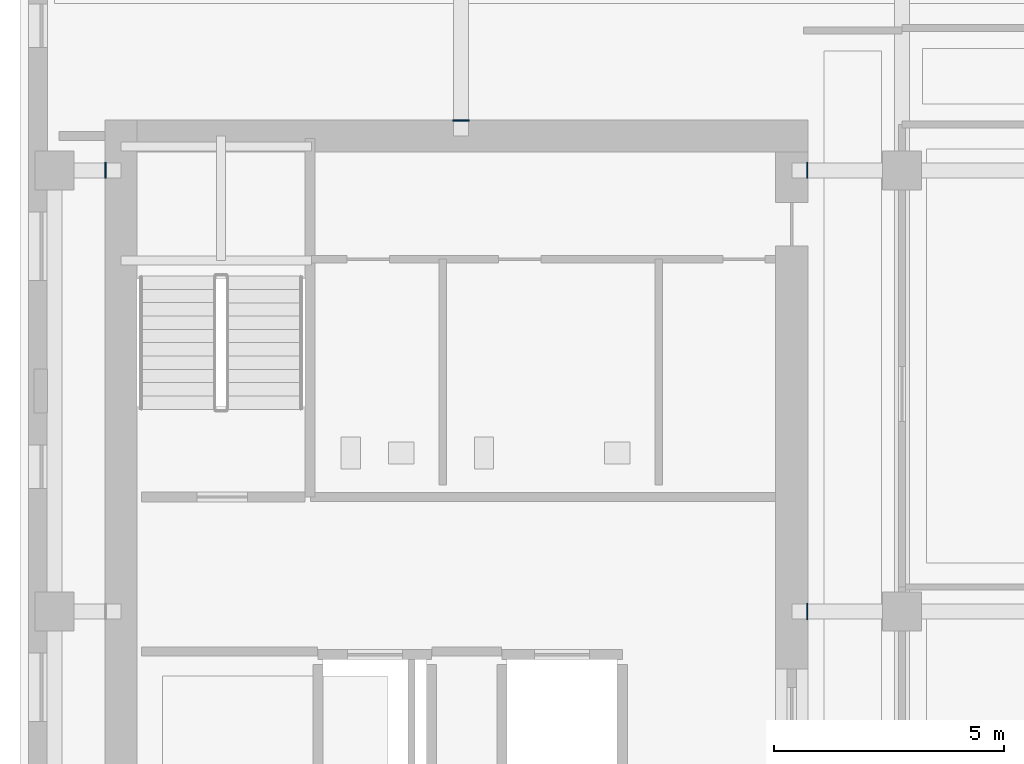
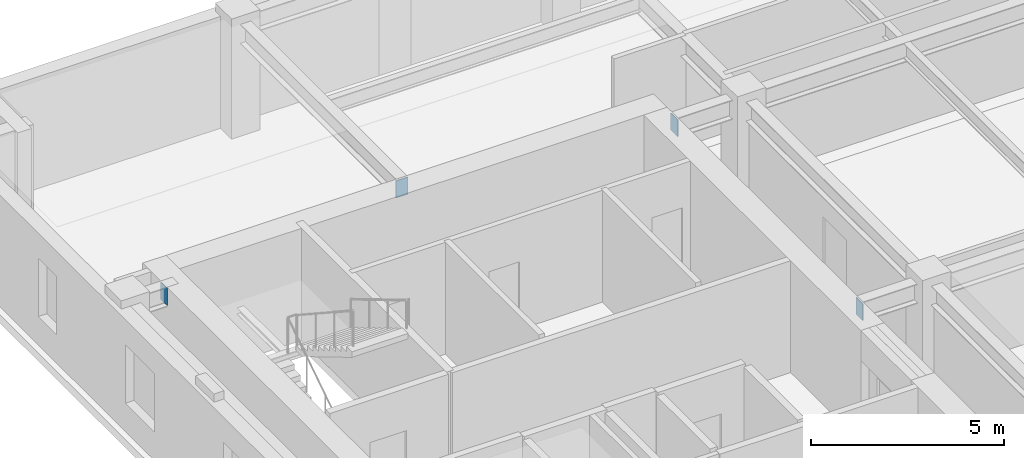
# One storey, part 9 of 14: 4 discrete accessories.
"""IFC4 building model written with IfcOpenShell, lengths in metres."""

from ifc_helpers import new_model, si_unit, direction, frame, origin, origin_2d, place, context, subcontext, project, spatial, rectangle, extrude, material, layer, layer_set, type_object, element, save


model = new_model("IFC4")

# Units and contexts
model_context = context("Model", 3, precision=1e-05, world=origin(), true_north=direction((0.0, 1.0)))
body_context = subcontext(model_context, "Body", "Model", "MODEL_VIEW")
ifc_project = project(units=[si_unit("LENGTHUNIT", "METRE"), si_unit("AREAUNIT", "SQUARE_METRE"), si_unit("VOLUMEUNIT", "CUBIC_METRE"), si_unit("PLANEANGLEUNIT", "RADIAN"), si_unit("MASSUNIT", "GRAM", prefix="KILO")], contexts=[model_context])

# Site, building, storey
site_placement = place(None, origin())
site = spatial("IfcSite", under=ifc_project, at=site_placement, CompositionType="ELEMENT")
building_placement = place(site_placement, origin())
building = spatial("IfcBuilding", under=site, at=building_placement, Name="Norrvale University Quadrangle", CompositionType="ELEMENT")
storey_placement = place(building_placement, frame((0.0, 0.0, 218.0)))
storey = spatial("IfcBuildingStorey", under=building, at=storey_placement, Name="L55", CompositionType="ELEMENT", Elevation=218.0)

# Discrete accessories
ifc_material = material(Name="Steel 350W", Category="steel")
ifc_layer = layer(ifc_material, 0.02490234375, Name="Steel 350W")
ifc_layer_set = layer_set([ifc_layer], Name="Steel 350W")
discrete_accessory_type = type_object("IfcDiscreteAccessoryType", Name="Accessory Cast In Embed Plate", PredefinedType="ANCHORPLATE", material=ifc_layer_set)
for number, where, z_axis, x_axis, name in (
    (1, (17.137451171875, 37.64990234375, 2.9599609375), (0.0, 0.0, 1.0), (1.0, 0.0, 0.0), "Core Wall Cast-in Embed Plate L55-GCE058"),
    (2, (1.862548828125, 47.25, 2.9599609375), (0.0, 0.0, 1.0), (1.0, 0.0, 0.0), "Core Wall Cast-in Embed Plate L55-GCW059"),
    (3, (17.137451171875, 47.25, 2.9599609375), (0.0, 0.0, 1.0), (1.0, 0.0, 0.0), "Core Wall Cast-in Embed Plate L55-GCE060"),
):
    element("IfcDiscreteAccessory", number, at=place(storey_placement, frame(where, z_axis=z_axis, x_axis=x_axis)), inside=storey, type_object=discrete_accessory_type, Name=name, PredefinedType="ANCHORPLATE", context=body_context, shape_type="SweptSolid", body=[
        extrude(rectangle(XDim=0.02490234375, YDim=0.35009765625, at=origin_2d()), origin(), (0.0, 0.0, 1.0), 0.5400390625),
    ])
discrete_accessory_placement = place(storey_placement, frame((9.60009765625, 48.33740234375, 2.9599609375), z_axis=(0.0, 0.0, 1.0), x_axis=(1.0, 0.0, 0.0)))
element("IfcDiscreteAccessory", 4, at=discrete_accessory_placement, inside=storey, type_object=discrete_accessory_type, Name="Core Wall Cast-in Embed Plate L55-GCN079", PredefinedType="ANCHORPLATE", context=body_context, shape_type="SweptSolid", body=[
    extrude(rectangle(XDim=0.35009765625, YDim=0.02490234375, at=origin_2d()), origin(), (0.0, 0.0, 1.0), 0.5400390625),
])

save(model, "model.ifc")
